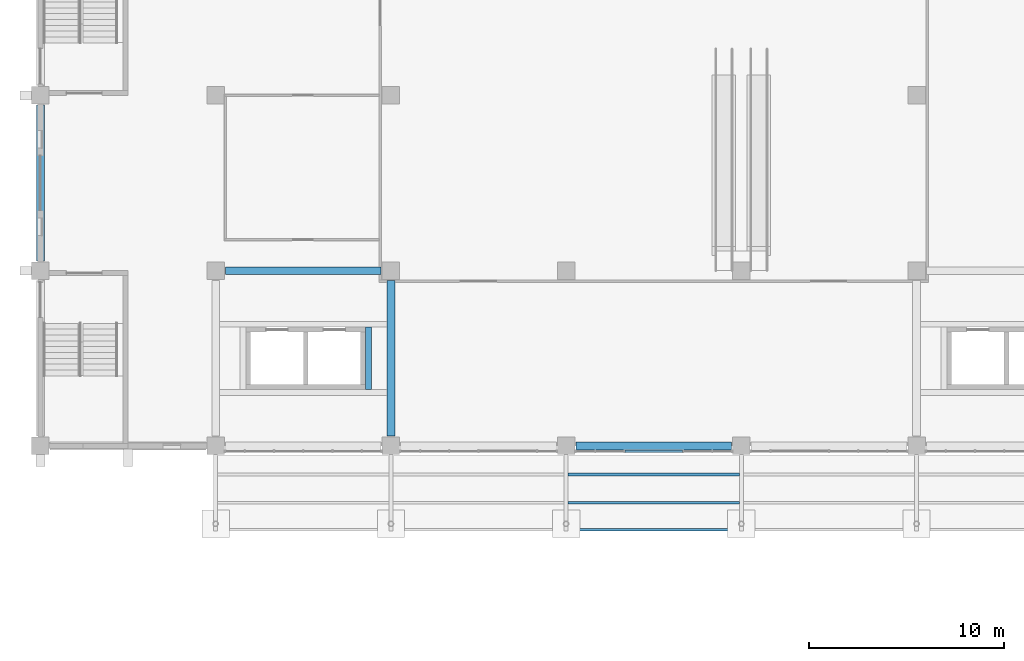
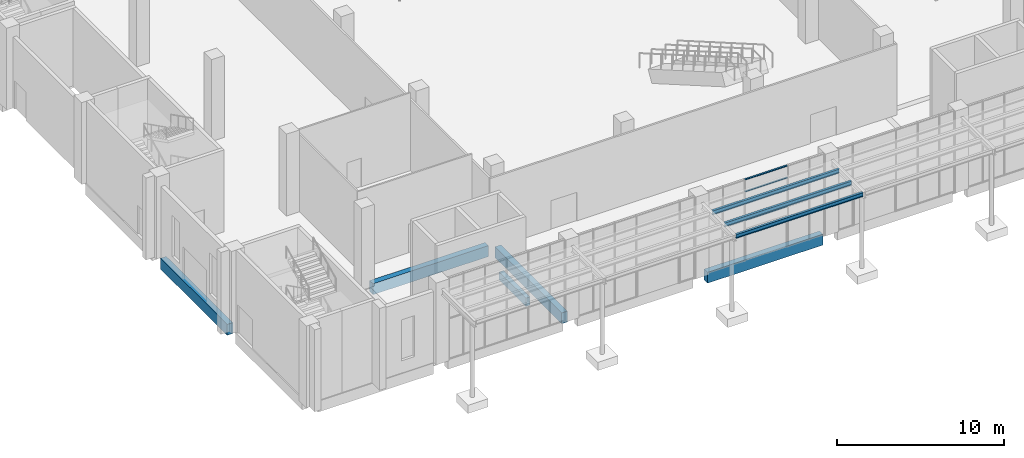
# One storey, part 10 of 86: 8 beams, 3 members, 1 element without a shape of its own.
"""IFC4 building model written with IfcOpenShell, lengths in metres."""

from ifc_helpers import new_model, si_unit, direction, frame, origin, origin_2d, place, context, subcontext, project, spatial, rectangle, i_section, extrude, material, layer, layer_set, material_profile, profile_set, type_object, element, aggregate, save


model = new_model("IFC4")

# Units and contexts
model_context = context("Model", 3, precision=1e-05, world=origin(), true_north=direction((0.0, 1.0)))
body_context = subcontext(model_context, "Body", "Model", "MODEL_VIEW")
ifc_project = project(units=[si_unit("LENGTHUNIT", "METRE"), si_unit("AREAUNIT", "SQUARE_METRE"), si_unit("VOLUMEUNIT", "CUBIC_METRE"), si_unit("PLANEANGLEUNIT", "RADIAN"), si_unit("MASSUNIT", "GRAM", prefix="KILO")], contexts=[model_context])

# Site, building, storey
site_placement = place(None, origin())
site = spatial("IfcSite", under=ifc_project, at=site_placement, CompositionType="ELEMENT")
building_placement = place(site_placement, origin())
building = spatial("IfcBuilding", under=site, at=building_placement, Name="Guidao Yard Department Store", CompositionType="ELEMENT")
storey_placement = place(building_placement, origin())
storey = spatial("IfcBuildingStorey", under=building, at=storey_placement, Name="L00", CompositionType="ELEMENT", Elevation=0.0)

# Beams
ifc_material_1 = material(Name="Steel Q355B", Category="steel")
ifc_material_profile_1 = material_profile(ifc_material_1, i_section(OverallWidth=0.14990234375, OverallDepth=0.300048828125, WebThickness=0.006591796875, FlangeThickness=0.009033203125, FilletRadius=0.012939453125, at=origin_2d()), Name="HN 300x150x6.5x9")
ifc_profile_set_1 = profile_set([ifc_material_profile_1], Name="Steel Q355B")
beam_type_1 = type_object("IfcBeamType", Name="Canopy beam HN 300x150x6.5x9", PredefinedType="BEAM", material=ifc_profile_set_1)
beam_1_placement = place(storey_placement, frame((27.10009765625, 40.695068359375, 5.300048828125), z_axis=(1.0, 0.0, 0.0), x_axis=(0.0, 1.0, 0.0)))
element("IfcBeam", 1, at=beam_1_placement, inside=storey, type_object=beam_type_1, Name="Canopy edge beam EC-3", PredefinedType="BEAM", context=body_context, shape_type="SweptSolid", body=[
    extrude(i_section(OverallWidth=0.14990234375, OverallDepth=0.300048828125, WebThickness=0.006591796875, FlangeThickness=0.009033203125, FilletRadius=0.012939453125, at=origin_2d()), origin(), (0.0, 0.0, 1.0), 8.7998046875),
])
for number, where, z_axis, x_axis, name in (
    (2, (27.10009765625, 43.5400390625, 5.300048828125), (1.0, 0.0, 0.0), (0.0, 1.0, 0.0), "Canopy joist EC-3.1"),
    (3, (27.10009765625, 42.080078125, 5.300048828125), (1.0, 0.0, 0.0), (0.0, 1.0, 0.0), "Canopy joist EC-3.2"),
):
    element("IfcBeam", number, at=place(storey_placement, frame(where, z_axis=z_axis, x_axis=x_axis)), inside=storey, type_object=beam_type_1, Name=name, PredefinedType="JOIST", context=body_context, shape_type="SweptSolid", body=[
        extrude(i_section(OverallWidth=0.14990234375, OverallDepth=0.300048828125, WebThickness=0.006591796875, FlangeThickness=0.009033203125, FilletRadius=0.012939453125, at=origin_2d()), origin(), (0.0, 0.0, 1.0), 8.7998046875),
    ])
ifc_material_2 = material(Name="Concrete C40", Category="concrete")
ifc_material_profile_2 = material_profile(ifc_material_2, rectangle(XDim=0.39990234375, YDim=0.800048828125, at=origin_2d()), Name="Edge beam 400 x 800 C40")
ifc_profile_set_2 = profile_set([ifc_material_profile_2], Name="Concrete C40")
beam_type_2 = type_object("IfcBeamType", Name="Edge beam 400 x 800 C40", PredefinedType="BEAM", material=ifc_profile_set_2)
for number, where, z_axis, x_axis, name in (
    (4, (9.5, 54.0, -0.39990234375), (1.0, 0.0, 0.0), (0.0, 1.0, 0.0), "Beam EB90"),
    (5, (18.0, 45.5, -0.39990234375), (0.0, 1.0, 0.0), (-1.0, 0.0, 0.0), "Beam EB92"),
):
    element("IfcBeam", number, at=place(storey_placement, frame(where, z_axis=z_axis, x_axis=x_axis)), inside=storey, type_object=beam_type_2, Name=name, PredefinedType="BEAM", context=body_context, shape_type="SweptSolid", body=[
        extrude(rectangle(XDim=0.39990234375, YDim=0.800048828125, at=origin_2d()), origin(), (0.0, 0.0, 1.0), 8.0),
    ])
ifc_material_3 = material(Name="Concrete C40", Category="concrete")
ifc_material_profile_3 = material_profile(ifc_material_3, rectangle(XDim=0.300048828125, YDim=0.60009765625, at=origin_2d()), Name="Opening beam 300 x 600 C40")
ifc_profile_set_3 = profile_set([ifc_material_profile_3], Name="Concrete C40")
beam_type_3 = type_object("IfcBeamType", Name="Opening beam 300 x 600 C40", PredefinedType="BEAM", material=ifc_profile_set_3)
beam_2_placement = place(storey_placement, frame((16.85009765625, 47.89990234375, -0.300048828125), z_axis=(0.0, 1.0, 0.0), x_axis=(-1.0, 0.0, 0.0)))
element("IfcBeam", 6, at=beam_2_placement, inside=storey, type_object=beam_type_3, Name="Beam OB04", PredefinedType="BEAM", context=body_context, shape_type="SweptSolid", body=[
    extrude(rectangle(XDim=0.300048828125, YDim=0.60009765625, at=origin_2d()), origin(), (0.0, 0.0, 1.0), 3.2001953125),
])
ifc_material_4 = material(Name="Concrete C40", Category="concrete")
ifc_material_profile_4 = material_profile(ifc_material_4, rectangle(XDim=0.39990234375, YDim=0.800048828125, at=origin_2d()), Name="Spandrel beam 400 x 800 C40")
ifc_profile_set_4 = profile_set([ifc_material_profile_4], Name="Concrete C40")
beam_type_4 = type_object("IfcBeamType", Name="Spandrel beam 400 x 800 C40", PredefinedType="SPANDREL", material=ifc_profile_set_4)
for number, where, z_axis, x_axis, name in (
    (7, (27.5, 45.0, -0.39990234375), (1.0, 0.0, 0.0), (0.0, 1.0, 0.0), "Beam EB28"),
    (8, (0.0, 54.5, -0.39990234375), (0.0, 1.0, 0.0), (-1.0, 0.0, 0.0), "Beam EB33"),
):
    element("IfcBeam", number, at=place(storey_placement, frame(where, z_axis=z_axis, x_axis=x_axis)), inside=storey, type_object=beam_type_4, Name=name, PredefinedType="SPANDREL", context=body_context, shape_type="SweptSolid", body=[
        extrude(rectangle(XDim=0.39990234375, YDim=0.800048828125, at=origin_2d()), origin(), (0.0, 0.0, 1.0), 8.0),
    ])

# Curtain wall, members
ifc_material_5 = material(Name="Aluminium and glass", Category="aluminium")
ifc_layer = layer(ifc_material_5, 0.159912109375)
ifc_layer_set = layer_set([ifc_layer], Name="Hall front curtain wall CW2 1500 module")
curtain_wall_type = type_object("IfcCurtainWallType", Name="Hall front curtain wall CW2 1500 module", PredefinedType="NOTDEFINED", material=ifc_layer_set)
curtain_wall_placement = place(storey_placement, origin())
curtain_wall = element("IfcCurtainWall", 9, at=curtain_wall_placement, inside=storey, type_object=curtain_wall_type, Name="Hall front curtain wall", PredefinedType="NOTDEFINED")
ifc_material_6 = material(Name="Aluminium 6063-T5", Category="aluminium")
ifc_material_profile_5 = material_profile(ifc_material_6, rectangle(XDim=0.1201171875, YDim=0.06005859375, at=origin_2d()), Name="Transom T1 60 x 120 aluminium pressure plate")
ifc_profile_set_5 = profile_set([ifc_material_profile_5], Name="Aluminium 6063-T5")
member_type = type_object("IfcMemberType", Name="Transom T1 60 x 120 aluminium pressure plate", PredefinedType="USERDEFINED", material=ifc_profile_set_5)
member_1_placement = place(storey_placement, frame((32.969970703125, 44.719970703125, 3.0), z_axis=(-1.0, 0.0, 0.0), x_axis=(0.0, -1.0, 0.0)))
member_1 = element("IfcMember", 10, at=member_1_placement, type_object=member_type, Name="CW-HF-L00-03 transom 3.2", ObjectType="TRANSOM", PredefinedType="USERDEFINED", context=body_context, shape_type="SweptSolid", body=[
    extrude(rectangle(XDim=0.1201171875, YDim=0.06005859375, at=origin_2d()), origin(), (0.0, 0.0, 1.0), 2.93994140625),
])
member_2_placement = place(storey_placement, frame((32.969970703125, 44.719970703125, 5.10009765625), z_axis=(-1.0, 0.0, 0.0), x_axis=(0.0, -1.0, 0.0)))
member_2 = element("IfcMember", 11, at=member_2_placement, type_object=member_type, Name="CW-HF-L00-03 transom 3.3", ObjectType="TRANSOM", PredefinedType="USERDEFINED", context=body_context, shape_type="SweptSolid", body=[
    extrude(rectangle(XDim=0.1201171875, YDim=0.06005859375, at=origin_2d()), origin(), (0.0, 0.0, 1.0), 2.93994140625),
])
member_3_placement = place(storey_placement, frame((32.969970703125, 44.719970703125, 5.969970703125), z_axis=(-1.0, 0.0, 0.0), x_axis=(0.0, -1.0, 0.0)))
member_3 = element("IfcMember", 12, at=member_3_placement, type_object=member_type, Name="CW-HF-L00-03 transom 3.4", ObjectType="TRANSOM", PredefinedType="USERDEFINED", context=body_context, shape_type="SweptSolid", body=[
    extrude(rectangle(XDim=0.1201171875, YDim=0.06005859375, at=origin_2d()), origin(), (0.0, 0.0, 1.0), 2.93994140625),
])
aggregate(curtain_wall, [member_1, member_2, member_3])

save(model, "model.ifc")
